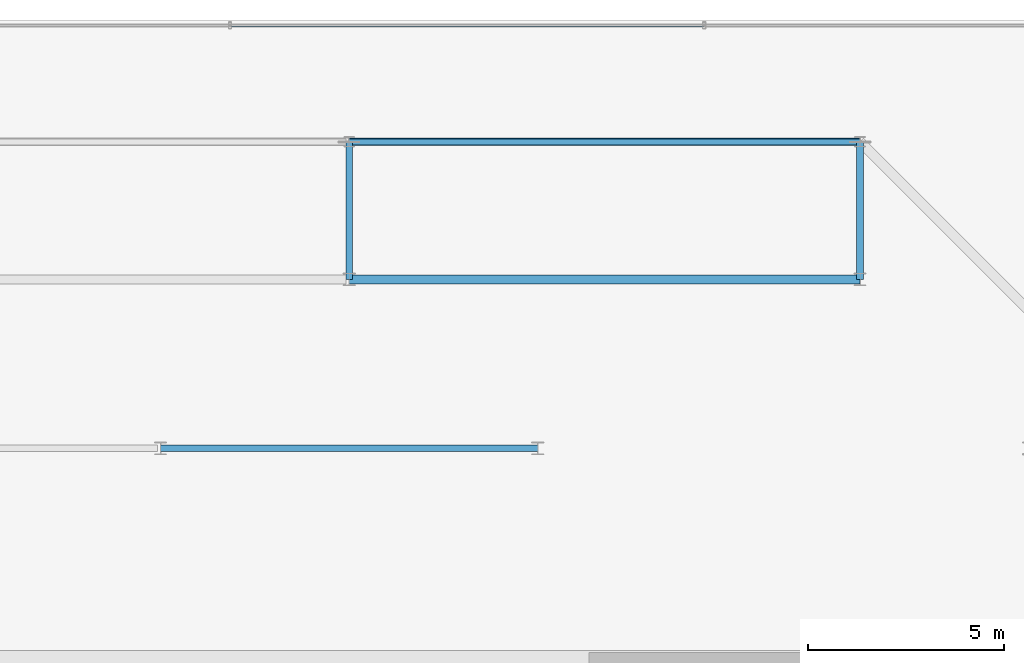
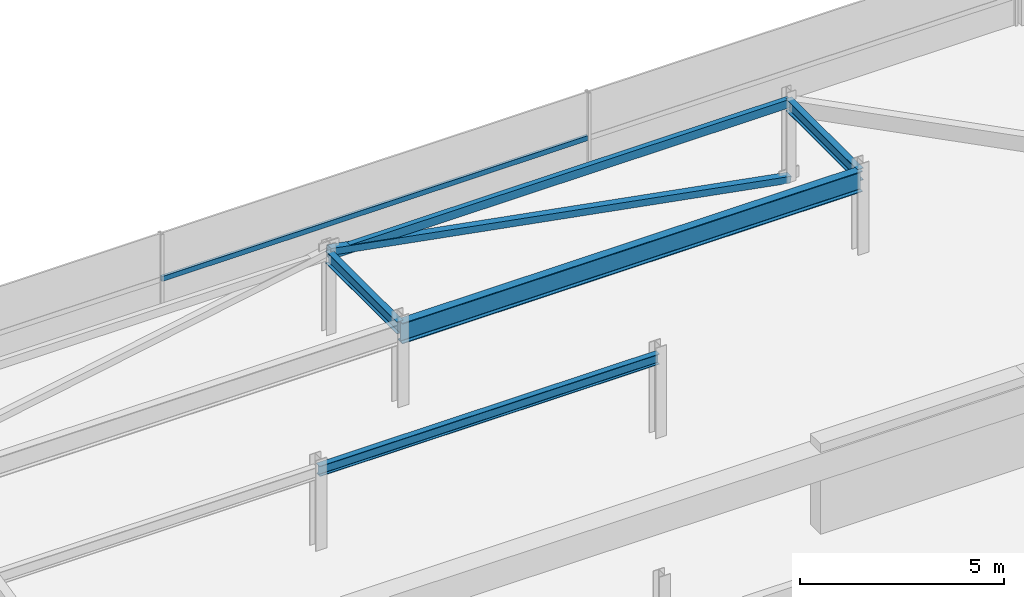
# One storey, part 36 of 44: 5 beams, 2 members, 1 element without a shape of its own.
"""IFC4 building model written with IfcOpenShell, lengths in metres."""

from ifc_helpers import new_model, si_unit, direction, frame, origin, origin_2d, place, context, subcontext, project, spatial, hollow_rectangle, i_section, extrude, material, material_profile, profile_set, type_object, element, aggregate, save


model = new_model("IFC4")

# Units and contexts
model_context = context("Model", 3, precision=1e-05, world=origin(), true_north=direction((0.0, 1.0)))
body_context = subcontext(model_context, "Body", "Model", "MODEL_VIEW")
ifc_project = project(units=[si_unit("LENGTHUNIT", "METRE"), si_unit("AREAUNIT", "SQUARE_METRE"), si_unit("VOLUMEUNIT", "CUBIC_METRE"), si_unit("PLANEANGLEUNIT", "RADIAN"), si_unit("MASSUNIT", "GRAM", prefix="KILO")], contexts=[model_context])

# Site, building, storey
site_placement = place(None, origin())
site = spatial("IfcSite", under=ifc_project, at=site_placement, CompositionType="ELEMENT")
building_placement = place(site_placement, origin())
building = spatial("IfcBuilding", under=site, at=building_placement, Name="Thornwick Lancets Civic Towers", CompositionType="ELEMENT")
storey_placement = place(building_placement, frame((0.0, 0.0, 292.199951171875)))
storey = spatial("IfcBuildingStorey", under=building, at=storey_placement, Name="C05", CompositionType="ELEMENT", Elevation=292.199951171875)

# Beams
ifc_material_1 = material(Name="Steel S355JR", Category="steel")
ifc_material_profile_1 = material_profile(ifc_material_1, hollow_rectangle(XDim=0.14990234375, YDim=0.25, WallThickness=0.012451171875, at=origin_2d()), Name="RHS 250x150x12.5")
ifc_profile_set_1 = profile_set([ifc_material_profile_1], Name="Steel S355JR")
beam_type_1 = type_object("IfcBeamType", Name="BM_CROWN_RHS250", PredefinedType="BEAM", material=ifc_profile_set_1)
beam_1_placement = place(storey_placement, frame((101.5, 47.800048828125, 2.31494140625), z_axis=(-1.0, 0.0, 0.0), x_axis=(0.0, -1.0, 0.0)))
element("IfcBeam", 1, at=beam_1_placement, inside=storey, type_object=beam_type_1, Name="BM-EDGE-C05-B-S1-1", PredefinedType="BEAM", context=body_context, shape_type="SweptSolid", body=[
    extrude(hollow_rectangle(XDim=0.14990234375, YDim=0.25, WallThickness=0.012451171875, at=origin_2d()), origin(), (0.0, 0.0, 1.0), 13.0),
])
ifc_material_profile_2 = material_profile(ifc_material_1, i_section(OverallWidth=0.230224609375, OverallDepth=0.6171875, WebThickness=0.01318359375, FlangeThickness=0.022216796875, FilletRadius=0.0126953125, at=origin_2d()), Name="UKB 610x229x140")
ifc_profile_set_2 = profile_set([ifc_material_profile_2], Name="Steel S355JR")
beam_type_2 = type_object("IfcBeamType", Name="BM_GIRD_610_140", PredefinedType="BEAM", material=ifc_profile_set_2)
beam_2_placement = place(storey_placement, frame((101.5, 44.300048828125, 2.13134765625), z_axis=(-1.0, 0.0, 0.0), x_axis=(0.0, -1.0, 0.0)))
element("IfcBeam", 2, at=beam_2_placement, inside=storey, type_object=beam_type_2, Name="BM-SPINE-C05-B-3-4", PredefinedType="BEAM", context=body_context, shape_type="SweptSolid", body=[
    extrude(i_section(OverallWidth=0.230224609375, OverallDepth=0.6171875, WebThickness=0.01318359375, FlangeThickness=0.022216796875, FilletRadius=0.0126953125, at=origin_2d()), origin(), (0.0, 0.0, 1.0), 13.0),
])
ifc_material_profile_3 = material_profile(ifc_material_1, i_section(OverallWidth=0.173095703125, OverallDepth=0.36328125, WebThickness=0.009033203125, FlangeThickness=0.015625, FilletRadius=0.01025390625, at=origin_2d()), Name="UKB 356x171x67")
ifc_profile_set_3 = profile_set([ifc_material_profile_3], Name="Steel S355JR")
beam_type_3 = type_object("IfcBeamType", Name="BM_JOIST_356_67", PredefinedType="JOIST", material=ifc_profile_set_3)
for number, where, z_axis, x_axis, name in (
    (3, (101.5, 44.300048828125, 2.25830078125), (0.0, 1.0, 0.0), (-1.0, 0.0, 0.0), "BM-RAD-C05-B04"),
    (4, (88.5, 44.300048828125, 2.25830078125), (0.0, 1.0, 0.0), (-1.0, 0.0, 0.0), "BM-RAD-C05-B05"),
):
    element("IfcBeam", number, at=place(storey_placement, frame(where, z_axis=z_axis, x_axis=x_axis)), inside=storey, type_object=beam_type_3, Name=name, PredefinedType="JOIST", context=body_context, shape_type="SweptSolid", body=[
        extrude(i_section(OverallWidth=0.173095703125, OverallDepth=0.36328125, WebThickness=0.009033203125, FlangeThickness=0.015625, FilletRadius=0.01025390625, at=origin_2d()), origin(), (0.0, 0.0, 1.0), 3.5),
    ])
ifc_material_profile_4 = material_profile(ifc_material_1, i_section(OverallWidth=0.1669921875, OverallDepth=0.310302734375, WebThickness=0.0078125, FlangeThickness=0.013671875, FilletRadius=0.0087890625, at=origin_2d()), Name="UKB 305x165x54")
ifc_profile_set_4 = profile_set([ifc_material_profile_4], Name="Steel S355JR")
beam_type_4 = type_object("IfcBeamType", Name="BM_LINTEL_305_54", PredefinedType="LINTEL", material=ifc_profile_set_4)
beam_3_placement = place(storey_placement, frame((93.300048828125, 40.0, 2.284912109375), z_axis=(-1.0, 0.0, 0.0), x_axis=(0.0, -1.0, 0.0)))
element("IfcBeam", 5, at=beam_3_placement, inside=storey, type_object=beam_type_4, Name="BM-INSP-C05-B-1-3", PredefinedType="LINTEL", context=body_context, shape_type="SweptSolid", body=[
    extrude(i_section(OverallWidth=0.1669921875, OverallDepth=0.310302734375, WebThickness=0.0078125, FlangeThickness=0.013671875, FilletRadius=0.0087890625, at=origin_2d()), origin(), (0.0, 0.0, 1.0), 9.60009765625),
])

# Curtain wall, member
ifc_material_2 = material(Name="Crown ring acoustic-louvre and glazing screen wall", Category="glass")
curtain_wall_type = type_object("IfcCurtainWallType", Name="CW_SYS_07", PredefinedType="NOTDEFINED", material=ifc_material_2)
curtain_wall_placement = place(storey_placement, origin())
curtain_wall = element("IfcCurtainWall", 6, at=curtain_wall_placement, inside=storey, type_object=curtain_wall_type, Name="C05 Curtain Wall CW-C05-B-E4", PredefinedType="NOTDEFINED")
ifc_material_3 = material(Name="Thermally broken bronze aluminium S355", Category="steel")
ifc_material_profile_5 = material_profile(ifc_material_3, hollow_rectangle(XDim=0.074951171875, YDim=0.14990234375, WallThickness=0.0048828125, at=origin_2d()), Name="RHS 150x75x5")
ifc_profile_set_5 = profile_set([ifc_material_profile_5], Name="Thermally broken bronze aluminium S355")
member_type_1 = type_object("IfcMemberType", Name="CW_TRN_150", PredefinedType="USERDEFINED", material=ifc_profile_set_5)
member_1_placement = place(storey_placement, frame((97.513916015625, 50.7646484375, 0.85009765625), z_axis=(-1.0, 0.0, 0.0), x_axis=(0.0, -1.0, 0.0)))
member_1 = element("IfcMember", 7, at=member_1_placement, type_object=member_type_1, Name="CW-C05-B-E4 Transom 1", ObjectType="TRANSOM", PredefinedType="USERDEFINED", context=body_context, shape_type="SweptSolid", body=[
    extrude(hollow_rectangle(XDim=0.074951171875, YDim=0.14990234375, WallThickness=0.0048828125, at=origin_2d()), origin(), (0.0, 0.0, 1.0), 12.02783203125),
])
aggregate(curtain_wall, [member_1])

# Member
ifc_material_profile_6 = material_profile(ifc_material_1, hollow_rectangle(XDim=0.199951171875, YDim=0.199951171875, WallThickness=0.012451171875, at=origin_2d()), Name="SHS 200x200x12.5")
ifc_profile_set_6 = profile_set([ifc_material_profile_6], Name="Steel S355JR")
member_type_2 = type_object("IfcMemberType", Name="MEM_CROWN_SHS200", PredefinedType="BRACE", material=ifc_profile_set_6)
member_2_placement = place(storey_placement, frame((101.5, 47.800048828125, 0.050048828125), z_axis=(-0.98351842104, 0.0, 0.180807951915), x_axis=(0.0, -1.0, 0.0)))
element("IfcMember", 8, at=member_2_placement, inside=storey, type_object=member_type_2, Name="C05 Crown Ring Lancet Rib B-S1-L", PredefinedType="BRACE", context=body_context, shape_type="SweptSolid", body=[
    extrude(hollow_rectangle(XDim=0.199951171875, YDim=0.199951171875, WallThickness=0.012451171875, at=origin_2d()), origin(), (0.0, 0.0, 1.0), 13.2177734375),
])

save(model, "model.ifc")
